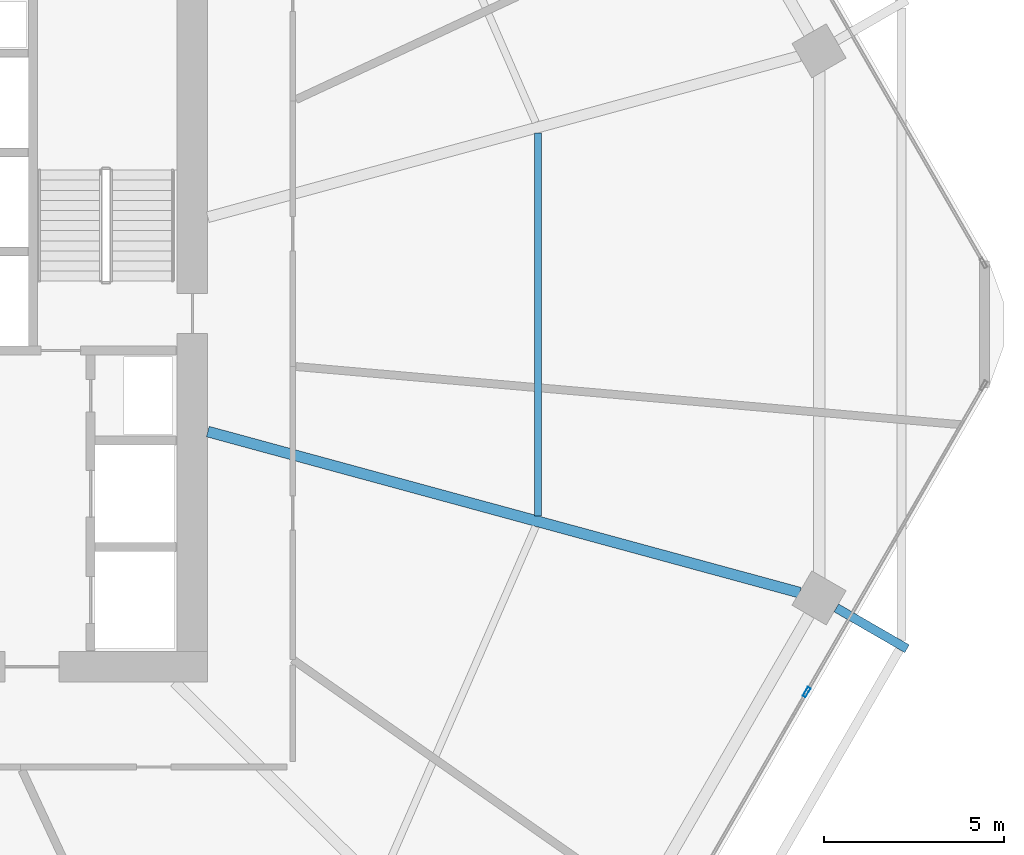
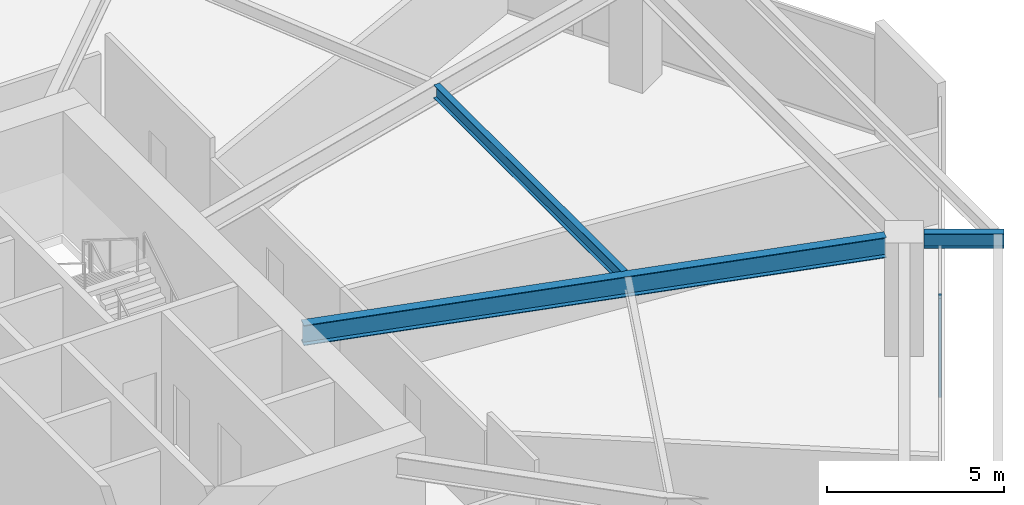
# One storey, part 11 of 28: 3 beams, 1 member, 1 element without a shape of its own.
"""IFC4 building model written with IfcOpenShell, lengths in metres."""

from ifc_helpers import new_model, si_unit, direction, frame, origin, origin_2d, place, context, subcontext, project, spatial, hollow_rectangle, i_section, extrude, material, material_profile, profile_set, type_object, element, aggregate, save


model = new_model("IFC4")

# Units and contexts
model_context = context("Model", 3, precision=1e-05, world=origin(), true_north=direction((0.0, 1.0)))
body_context = subcontext(model_context, "Body", "Model", "MODEL_VIEW")
ifc_project = project(units=[si_unit("LENGTHUNIT", "METRE"), si_unit("AREAUNIT", "SQUARE_METRE"), si_unit("VOLUMEUNIT", "CUBIC_METRE"), si_unit("PLANEANGLEUNIT", "RADIAN"), si_unit("MASSUNIT", "GRAM", prefix="KILO")], contexts=[model_context])

# Site, building, storey
site_placement = place(None, origin())
site = spatial("IfcSite", under=ifc_project, at=site_placement, CompositionType="ELEMENT")
building_placement = place(site_placement, origin())
building = spatial("IfcBuilding", under=site, at=building_placement, Name="Zuhravey Tower", CompositionType="ELEMENT")
storey_placement = place(building_placement, frame((0.0, 0.0, 79.199951171875)))
storey = spatial("IfcBuildingStorey", under=building, at=storey_placement, Name="L19", CompositionType="ELEMENT", Elevation=79.199951171875)

# Curtain wall, member
ifc_material_1 = material(Name="Thermally broken anodised aluminium", Category="aluminium")
curtain_wall_type = type_object("IfcCurtainWallType", Name="School Low-E Unitised Curtain Wall CW1", PredefinedType="NOTDEFINED", material=ifc_material_1)
curtain_wall_placement = place(storey_placement, origin())
curtain_wall = element("IfcCurtainWall", 1, at=curtain_wall_placement, inside=storey, type_object=curtain_wall_type, Name="L19 CW1 CW-L19-F6-1", PredefinedType="NOTDEFINED")
ifc_material_2 = material(Name="Anodised aluminium", Category="aluminium")
ifc_material_profile_1 = material_profile(ifc_material_2, hollow_rectangle(XDim=0.090087890625, YDim=0.284912109375, WallThickness=0.0048828125, at=origin_2d()), Name="ALU-RHS-90x285x5")
ifc_profile_set_1 = profile_set([ifc_material_profile_1], Name="Anodised aluminium")
member_type = type_object("IfcMemberType", Name="Curtain-Wall Mullion 90x180", PredefinedType="MULLION", material=ifc_profile_set_1)
member_placement = place(storey_placement, frame((63.54541015625, 21.79296875, 0.0), z_axis=(0.0, 0.0, 1.0), x_axis=(0.86602552265, -0.499999794119, 0.0)))
member = element("IfcMember", 2, at=member_placement, type_object=member_type, Name="CW1 mullion 2", PredefinedType="MULLION", context=body_context, shape_type="SweptSolid", body=[
    extrude(hollow_rectangle(XDim=0.090087890625, YDim=0.284912109375, WallThickness=0.0048828125, at=origin_2d()), origin(), (0.0, 0.0, 1.0), 3.420166015625),
])
aggregate(curtain_wall, [member])

# Beams
ifc_material_3 = material(Name="Steel SM355", Category="steel")
ifc_material_profile_2 = material_profile(ifc_material_3, i_section(OverallWidth=0.300048828125, OverallDepth=0.699951171875, WebThickness=0.012939453125, FlangeThickness=0.02392578125, at=origin_2d()), Name="H-700x300x13x24")
ifc_profile_set_2 = profile_set([ifc_material_profile_2], Name="Steel SM355")
beam_type_1 = type_object("IfcBeamType", Name="Radial Primary Girder H700x300", PredefinedType="BEAM", material=ifc_profile_set_2)
beam_1_placement = place(storey_placement, frame((46.927978515625, 29.025390625, 3.570068359375), z_axis=(0.964891112932, -0.262650224032, 0.0), x_axis=(0.262650224032, 0.964891112932, 0.0)))
element("IfcBeam", 3, at=beam_1_placement, inside=storey, type_object=beam_type_1, Name="L19 RG1 BM-L19-RAD-12", PredefinedType="BEAM", context=body_context, shape_type="SweptSolid", body=[
    extrude(i_section(OverallWidth=0.300048828125, OverallDepth=0.699951171875, WebThickness=0.012939453125, FlangeThickness=0.02392578125, at=origin_2d()), origin(), (0.0, 0.0, 1.0), 17.025146484375),
])
ifc_material_profile_3 = material_profile(ifc_material_3, i_section(OverallWidth=0.199951171875, OverallDepth=0.449951171875, WebThickness=0.009033203125, FlangeThickness=0.013916015625, at=origin_2d()), Name="H-450x200x9x14")
ifc_profile_set_3 = profile_set([ifc_material_profile_3], Name="Steel SM355")
beam_type_2 = type_object("IfcBeamType", Name="Secondary Floor Joist H450x200", PredefinedType="JOIST", material=ifc_profile_set_3)
beam_2_placement = place(storey_placement, frame((56.0869140625, 26.686279296875, 3.695068359375), z_axis=(0.0, 1.0, 0.0), x_axis=(-1.0, 0.0, 0.0)))
element("IfcBeam", 4, at=beam_2_placement, inside=storey, type_object=beam_type_2, Name="L19 SJ1 BM-L19-SJ-12-1", PredefinedType="JOIST", context=body_context, shape_type="SweptSolid", body=[
    extrude(i_section(OverallWidth=0.199951171875, OverallDepth=0.449951171875, WebThickness=0.009033203125, FlangeThickness=0.013916015625, at=origin_2d()), origin(), (0.0, 0.0, 1.0), 10.62744140625),
])
ifc_material_profile_4 = material_profile(ifc_material_3, i_section(OverallWidth=0.25, OverallDepth=0.5, WebThickness=0.010009765625, FlangeThickness=0.01611328125, at=origin_2d()), Name="H-500x250x10x16")
ifc_profile_set_4 = profile_set([ifc_material_profile_4], Name="Steel SM355")
beam_type_3 = type_object("IfcBeamType", Name="Tray Cantilever Spandrel H500x250", PredefinedType="SPANDREL", material=ifc_profile_set_4)
beam_3_placement = place(storey_placement, frame((64.368896484375, 24.13134765625, 3.670166015625), z_axis=(0.866013342106, -0.500020890858, 0.0), x_axis=(0.500020890858, 0.866013342106, 0.0)))
element("IfcBeam", 5, at=beam_3_placement, inside=storey, type_object=beam_type_3, Name="L19 Sky-Tray Cantilever Arm TSB1-R12", PredefinedType="SPANDREL", context=body_context, shape_type="SweptSolid", body=[
    extrude(i_section(OverallWidth=0.25, OverallDepth=0.5, WebThickness=0.010009765625, FlangeThickness=0.01611328125, at=origin_2d()), origin(), (0.0, 0.0, 1.0), 2.26611328125),
])

save(model, "model.ifc")
